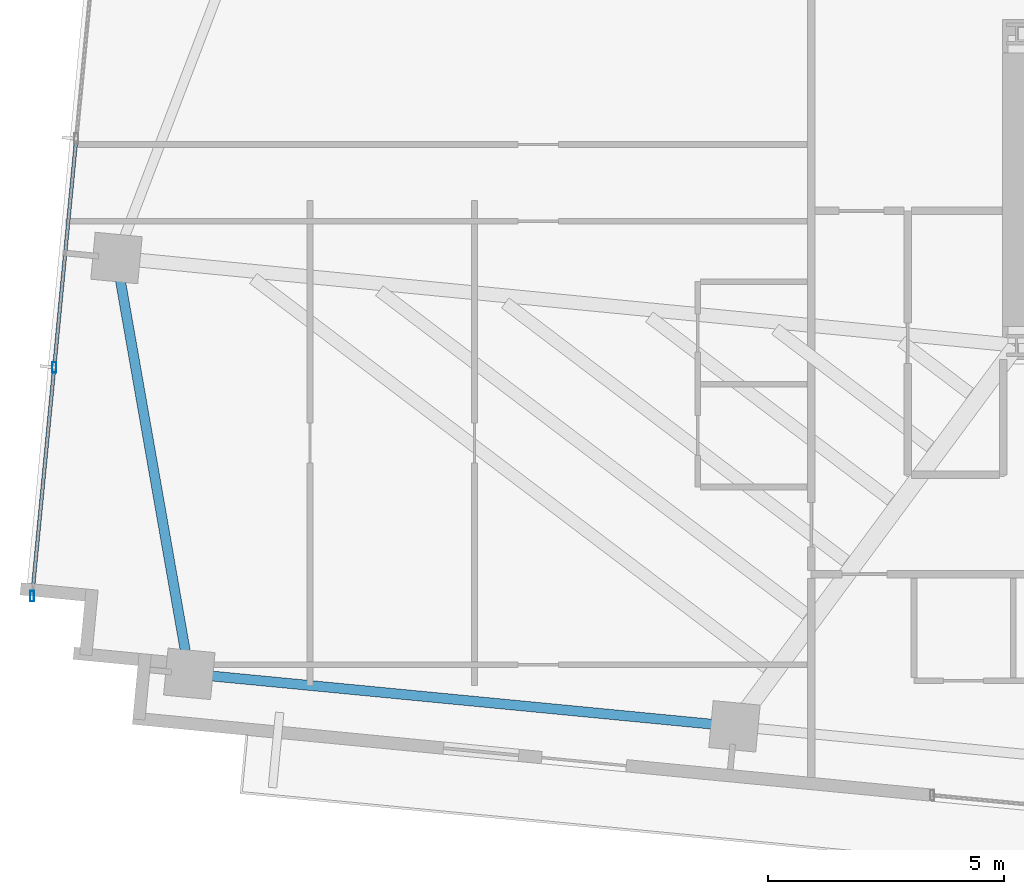
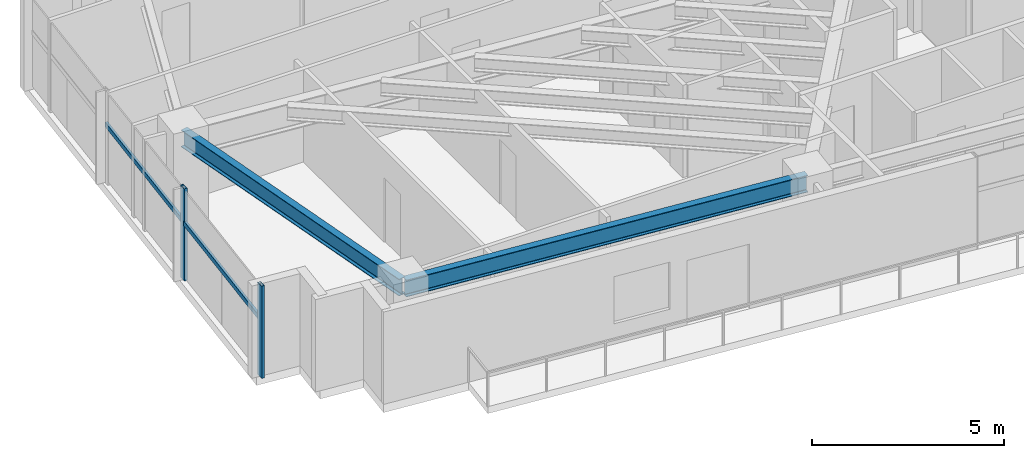
# One storey, part 2 of 20: 4 members, 2 beams, 1 element without a shape of its own.
"""IFC4 building model written with IfcOpenShell, lengths in metres."""

from ifc_helpers import new_model, si_unit, direction, frame, origin, origin_2d, place, context, subcontext, project, spatial, hollow_rectangle, i_section, extrude, source, transform, mapped, material, material_profile, profile_set, type_object, type_shapes, element, aggregate, save


model = new_model("IFC4")

# Units and contexts
model_context = context("Model", 3, precision=1e-05, world=origin(), true_north=direction((0.0, 1.0)))
body_context = subcontext(model_context, "Body", "Model", "MODEL_VIEW")
ifc_project = project(units=[si_unit("LENGTHUNIT", "METRE"), si_unit("AREAUNIT", "SQUARE_METRE"), si_unit("VOLUMEUNIT", "CUBIC_METRE"), si_unit("PLANEANGLEUNIT", "RADIAN"), si_unit("MASSUNIT", "GRAM", prefix="KILO")], contexts=[model_context])

# Site, building, storey
site_placement = place(None, origin())
site = spatial("IfcSite", under=ifc_project, at=site_placement, CompositionType="ELEMENT")
building_placement = place(site_placement, origin())
building = spatial("IfcBuilding", under=site, at=building_placement, Name="Astriad Promenade Condominiums", CompositionType="ELEMENT")
storey_placement = place(building_placement, frame((0.0, 0.0, 127.800048828125)))
storey = spatial("IfcBuildingStorey", under=building, at=storey_placement, Name="L36", CompositionType="ELEMENT", Elevation=127.800048828125)

# Beams
ifc_material_1 = material(Name="Steel ASTM A992 Grade 50", Category="steel")
ifc_material_profile_1 = material_profile(ifc_material_1, i_section(OverallWidth=0.210693359375, OverallDepth=0.53955078125, WebThickness=0.01171875, FlangeThickness=0.018798828125, FilletRadius=0.0166015625, at=origin_2d()), Name="W21X73")
ifc_profile_set_1 = profile_set([ifc_material_profile_1], Name="Steel ASTM A992 Grade 50")
beam_type = type_object("IfcBeamType", Name="STEEL SPANDREL BEAM W21X73", PredefinedType="SPANDREL", material=ifc_profile_set_1)
shared_shape_1 = source(origin(), body_context, "Body", "SweptSolid", [
    extrude(i_section(OverallWidth=0.210693359375, OverallDepth=0.53955078125, WebThickness=0.01171875, FlangeThickness=0.018798828125, FilletRadius=0.0166015625, at=origin_2d()), origin(), (0.0, 0.0, 1.0), 11.52001953125),
])
beam_1_placement = place(storey_placement, frame((8.92041015625, 10.439453125, 2.670166015625), z_axis=(0.9953953902, -0.095854145285, 0.0), x_axis=(0.095854145285, 0.9953953902, 0.0)))
element("IfcBeam", 1, at=beam_1_placement, inside=storey, type_object=beam_type, Name="Perimeter Spandrel Beam SP-S1-L36", PredefinedType="SPANDREL", context=body_context, shape_type="MappedRepresentation", body=[
    mapped(shared_shape_1, transform((0.0, 0.0, 0.0), scale=1.0)),
])
shared_shape_2 = source(origin(), body_context, "Body", "SweptSolid", [
    extrude(i_section(OverallWidth=0.210693359375, OverallDepth=0.53955078125, WebThickness=0.01171875, FlangeThickness=0.018798828125, FilletRadius=0.0166015625, at=origin_2d()), origin(), (0.0, 0.0, 1.0), 8.862548828125),
])
type_shapes(beam_type, [shared_shape_1, shared_shape_2])
beam_2_placement = place(storey_placement, frame((7.3447265625, 19.21240234375, 2.670166015625), z_axis=(0.172528005434, -0.985004612853, 0.0), x_axis=(0.985004612853, 0.172528005434, 0.0)))
element("IfcBeam", 2, at=beam_2_placement, inside=storey, type_object=beam_type, Name="Perimeter Spandrel Beam SP-W1-L36", PredefinedType="SPANDREL", context=body_context, shape_type="MappedRepresentation", body=[
    mapped(shared_shape_2, transform((0.0, 0.0, 0.0), scale=1.0)),
])

# Curtain wall, members
ifc_material_2 = material(Name="Anodised aluminium Black Dark Glass Unitised", Category="aluminium")
curtain_wall_type = type_object("IfcCurtainWallType", Name="CW-B34-DARK", PredefinedType="USERDEFINED", material=ifc_material_2)
curtain_wall_placement = place(storey_placement, origin())
curtain_wall = element("IfcCurtainWall", 3, at=curtain_wall_placement, inside=storey, type_object=curtain_wall_type, Name="CW-L36-W", ObjectType="UNITISED_CURTAIN_WALL", PredefinedType="USERDEFINED")
ifc_material_3 = material(Name="Anodised aluminium 6063-T6 Black", Category="aluminium")
ifc_material_profile_2 = material_profile(ifc_material_3, hollow_rectangle(XDim=0.0849609375, YDim=0.219970703125, WallThickness=0.0048828125, at=origin_2d()), Name="ALU-MUL-85X220")
ifc_profile_set_2 = profile_set([ifc_material_profile_2], Name="Anodised aluminium 6063-T6 Black")
member_type_1 = type_object("IfcMemberType", Name="MUL-ALU-MUL-85X220", PredefinedType="MULLION", material=ifc_profile_set_2)
shared_shape_3 = source(origin(), body_context, "Body", "SweptSolid", [
    extrude(hollow_rectangle(XDim=0.0849609375, YDim=0.219970703125, WallThickness=0.0048828125, at=origin_2d()), origin(), (0.0, 0.0, 1.0), 2.93994140625),
])
type_shapes(member_type_1, [shared_shape_3])
member_1_placement = place(storey_placement, frame((5.552978515625, 12.08984375, 0.0), z_axis=(0.0, 0.0, 1.0), x_axis=(1.0, 0.0, 0.0)))
member_1 = element("IfcMember", 4, at=member_1_placement, type_object=member_type_1, Name="CW-L36-W-MUL-00", PredefinedType="MULLION", context=body_context, shape_type="MappedRepresentation", body=[
    mapped(shared_shape_3, transform((0.0, 0.0, 0.0), scale=1.0)),
])
member_2_placement = place(storey_placement, frame((6.01953125, 16.93408203125, 0.0), z_axis=(0.0, 0.0, 1.0), x_axis=(1.0, 0.0, 0.0)))
member_2 = element("IfcMember", 5, at=member_2_placement, type_object=member_type_1, Name="CW-L36-W-MUL-01", PredefinedType="MULLION", context=body_context, shape_type="MappedRepresentation", body=[
    mapped(shared_shape_3, transform((0.0, 0.0, 0.0), scale=1.0)),
])
ifc_material_profile_3 = material_profile(ifc_material_3, hollow_rectangle(XDim=0.074951171875, YDim=0.14990234375, WallThickness=0.004150390625, at=origin_2d()), Name="ALU-TRN-75X150")
ifc_profile_set_3 = profile_set([ifc_material_profile_3], Name="Anodised aluminium 6063-T6 Black")
member_type_2 = type_object("IfcMemberType", Name="TRN-ALU-TRN-75X150", PredefinedType="USERDEFINED", material=ifc_profile_set_3)
shared_shape_4 = source(origin(), body_context, "Body", "SweptSolid", [
    extrude(hollow_rectangle(XDim=0.074951171875, YDim=0.14990234375, WallThickness=0.004150390625, at=origin_2d()), origin(), (0.0, 0.0, 1.0), 4.86669921875),
])
type_shapes(member_type_2, [shared_shape_4])
member_3_placement = place(storey_placement, frame((5.552978515625, 12.08984375, 1.82275390625), z_axis=(0.095867260207, 0.995394127178, 0.0), x_axis=(-0.995394127178, 0.095867260207, 0.0)))
member_3 = element("IfcMember", 6, at=member_3_placement, type_object=member_type_2, Name="CW-L36-W-TRN-00-0", ObjectType="TRANSOM", PredefinedType="USERDEFINED", context=body_context, shape_type="MappedRepresentation", body=[
    mapped(shared_shape_4, transform((0.0, 0.0, 0.0), scale=1.0)),
])
member_4_placement = place(storey_placement, frame((6.01953125, 16.93408203125, 1.82275390625), z_axis=(0.095867260207, 0.995394127178, 0.0), x_axis=(-0.995394127178, 0.095867260207, 0.0)))
member_4 = element("IfcMember", 7, at=member_4_placement, type_object=member_type_2, Name="CW-L36-W-TRN-01-0", ObjectType="TRANSOM", PredefinedType="USERDEFINED", context=body_context, shape_type="MappedRepresentation", body=[
    mapped(shared_shape_4, transform((0.0, 0.0, 0.0), scale=1.0)),
])
aggregate(curtain_wall, [member_1, member_2, member_3, member_4])

save(model, "model.ifc")
